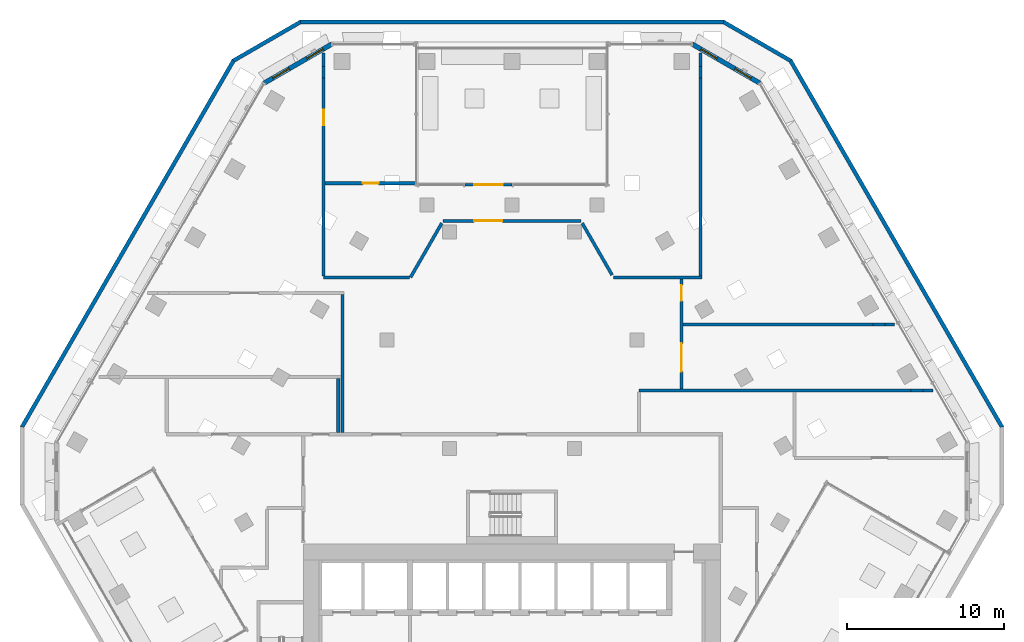
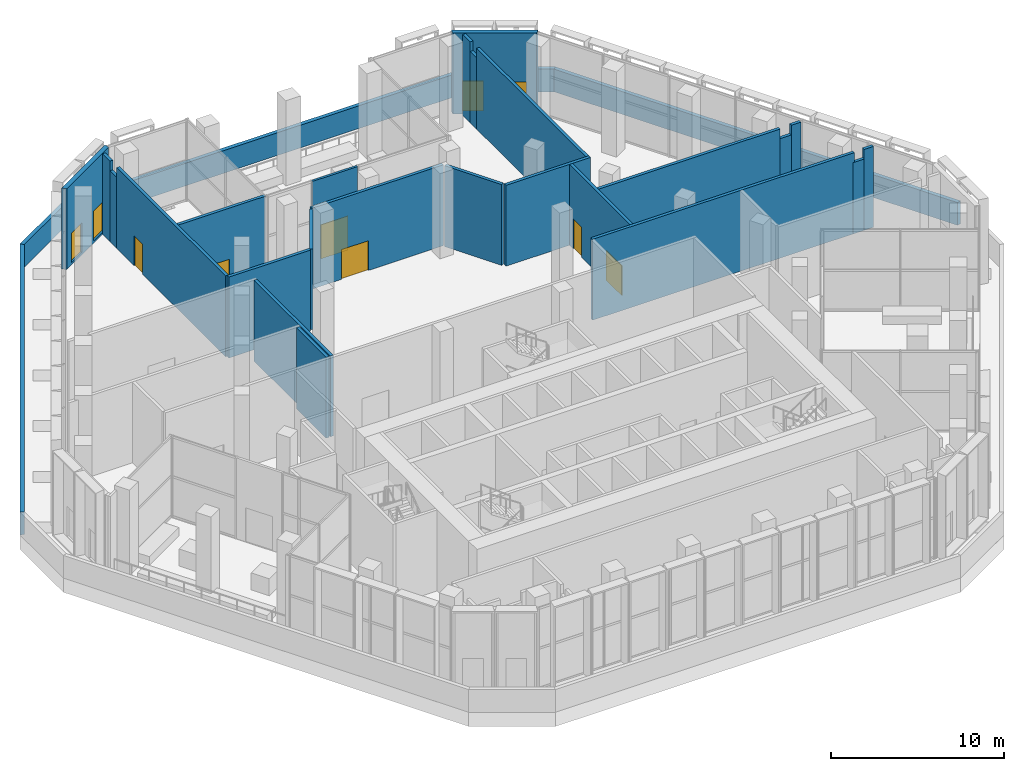
# One storey, part 12 of 23: 29 walls, 6 doors, 4 windows, 10 openings.
"""IFC4 building model written with IfcOpenShell, lengths in metres."""

from ifc_helpers import new_model, si_unit, direction, frame, frame_2d, origin, place, context, subcontext, project, spatial, polyline, rectangle, outline, extrude, material, layer, layer_set, type_object, element, fill, save


model = new_model("IFC4")

# Units and contexts
model_context = context("Model", 3, precision=1e-05, world=origin(), true_north=direction((0.0, 1.0)))
body_context = subcontext(model_context, "Body", "Model", "MODEL_VIEW")
ifc_project = project(units=[si_unit("LENGTHUNIT", "METRE"), si_unit("AREAUNIT", "SQUARE_METRE"), si_unit("VOLUMEUNIT", "CUBIC_METRE"), si_unit("PLANEANGLEUNIT", "RADIAN"), si_unit("MASSUNIT", "GRAM", prefix="KILO")], contexts=[model_context])

# Site, building, storey
site_placement = place(None, origin())
site = spatial("IfcSite", under=ifc_project, at=site_placement, CompositionType="ELEMENT")
building_placement = place(site_placement, origin())
building = spatial("IfcBuilding", under=site, at=building_placement, Name="Beryl Residences", CompositionType="ELEMENT")
storey_placement = place(building_placement, frame((0.0, 0.0, 66.0)))
storey = spatial("IfcBuildingStorey", under=building, at=storey_placement, Name="L20", CompositionType="ELEMENT", Elevation=66.0)

# Wall, openings, windows
ifc_material_1 = material(Name="Composite metal panel with mineral wool insulation")
ifc_layer_1 = layer(ifc_material_1, 0.300048828125)
ifc_layer_set_1 = layer_set([ifc_layer_1], Name="ES1 pale metal composite panel wall 300 mm")
wall_type_1 = type_object("IfcWallType", Name="ES1 pale metal composite panel wall 300 mm", PredefinedType="SOLIDWALL", material=ifc_layer_set_1)
wall_1_placement = place(storey_placement, frame((-11.471923828125, 26.8701171875, 0.0), z_axis=(0.0, 0.0, 1.0), x_axis=(-0.866022959057, -0.500004234368, 0.0)))
wall_1 = element("IfcWall", 1, at=wall_1_placement, inside=storey, type_object=wall_type_1, Name="ES1 external wall L20 N-NW", PredefinedType="SOLIDWALL", context=body_context, shape_type="SweptSolid", body=[
    extrude(outline(polyline([(0.0, -0.14990234375), (5.0, -0.14990234375), (4.919677734375, 0.14990234375), (0.080322265625, 0.14990234375), (0.0, -0.14990234375)])), origin(), (0.0, 0.0, 1.0), 5.699951171875),
])
opening_1_placement = place(wall_1_placement, frame((0.64990234375, 0.0, 0.14990234375)))
opening_1 = element("IfcOpeningElement", 2, at=opening_1_placement, cuts=wall_1, Name="Opening W2", PredefinedType="OPENING", context=body_context, shape_type="SweptSolid", body=[
    extrude(rectangle(XDim=1.199951171875, YDim=2.10009765625, at=frame_2d((0.60009765625, 1.050048828125))), frame((0.0, 0.159912109375, 0.0), z_axis=(0.0, -1.0, 0.0), x_axis=(1.0, 0.0, 0.0)), (0.0, 0.0, 1.0), 0.320068359375),
])
opening_2_placement = place(wall_1_placement, frame((3.14892578125, 0.0, 0.14990234375)))
opening_2 = element("IfcOpeningElement", 3, at=opening_2_placement, cuts=wall_1, Name="Opening W2", PredefinedType="OPENING", context=body_context, shape_type="SweptSolid", body=[
    extrude(rectangle(XDim=1.199951171875, YDim=2.10009765625, at=frame_2d((0.60009765625, 1.050048828125))), frame((0.0, 0.159912109375, 0.0), z_axis=(0.0, -1.0, 0.0), x_axis=(1.0, 0.0, 0.0)), (0.0, 0.0, 1.0), 0.320068359375),
])
ifc_material_2 = material(Name="Aluminium and clear glass", Category="aluminium")
window_type = type_object("IfcWindowType", Name="W2 chamfer window 1200 x 2100 mm", PartitioningType="SINGLE_PANEL", PredefinedType="WINDOW", material=ifc_material_2)
window_1_placement = place(opening_1_placement, origin())
window_1 = element("IfcWindow", 4, at=window_1_placement, inside=storey, type_object=window_type, Name="W2 window L20 N-NW 1", OverallHeight=2.10009765625, OverallWidth=1.199951171875, PartitioningType="SINGLE_PANEL", PredefinedType="WINDOW", context=body_context, shape_type="SweptSolid", body=[
    extrude(rectangle(XDim=1.199951171875, YDim=2.10009765625, at=frame_2d((0.60009765625, 1.050048828125))), frame((0.0, 0.030029296875, 0.0), z_axis=(0.0, -1.0, 0.0), x_axis=(1.0, 0.0, 0.0)), (0.0, 0.0, 1.0), 0.06005859375),
])
fill(opening_1, window_1)
window_2_placement = place(opening_2_placement, origin())
window_2 = element("IfcWindow", 5, at=window_2_placement, inside=storey, type_object=window_type, Name="W2 window L20 N-NW 2", OverallHeight=2.10009765625, OverallWidth=1.199951171875, PartitioningType="SINGLE_PANEL", PredefinedType="WINDOW", context=body_context, shape_type="SweptSolid", body=[
    extrude(rectangle(XDim=1.199951171875, YDim=2.10009765625, at=frame_2d((0.60009765625, 1.050048828125))), frame((0.0, 0.030029296875, 0.0), z_axis=(0.0, -1.0, 0.0), x_axis=(1.0, 0.0, 0.0)), (0.0, 0.0, 1.0), 0.06005859375),
])
fill(opening_2, window_2)

wall_2_placement = place(storey_placement, frame((15.802001953125, 24.3701171875, 0.0), z_axis=(0.0, 0.0, 1.0), x_axis=(-0.866022959057, 0.500004234368, 0.0)))
wall_2 = element("IfcWall", 6, at=wall_2_placement, inside=storey, type_object=wall_type_1, Name="ES1 external wall L20 NE-N", PredefinedType="SOLIDWALL", context=body_context, shape_type="SweptSolid", body=[
    extrude(outline(polyline([(0.0, -0.14990234375), (5.0, -0.14990234375), (4.919677734375, 0.14990234375), (0.080322265625, 0.14990234375), (0.0, -0.14990234375)])), origin(), (0.0, 0.0, 1.0), 5.699951171875),
])
opening_3_placement = place(wall_2_placement, frame((0.64990234375, 0.0, 0.14990234375)))
opening_3 = element("IfcOpeningElement", 7, at=opening_3_placement, cuts=wall_2, Name="Opening W2", PredefinedType="OPENING", context=body_context, shape_type="SweptSolid", body=[
    extrude(rectangle(XDim=1.199951171875, YDim=2.10009765625, at=frame_2d((0.60009765625, 1.050048828125))), frame((0.0, 0.159912109375, 0.0), z_axis=(0.0, -1.0, 0.0), x_axis=(1.0, 0.0, 0.0)), (0.0, 0.0, 1.0), 0.320068359375),
])
opening_4_placement = place(wall_2_placement, frame((3.14990234375, 0.0, 0.14990234375)))
opening_4 = element("IfcOpeningElement", 8, at=opening_4_placement, cuts=wall_2, Name="Opening W2", PredefinedType="OPENING", context=body_context, shape_type="SweptSolid", body=[
    extrude(rectangle(XDim=1.199951171875, YDim=2.10009765625, at=frame_2d((0.60009765625, 1.050048828125))), frame((0.0, 0.159912109375, 0.0), z_axis=(0.0, -1.0, 0.0), x_axis=(1.0, 0.0, 0.0)), (0.0, 0.0, 1.0), 0.320068359375),
])
window_3_placement = place(opening_3_placement, origin())
window_3 = element("IfcWindow", 9, at=window_3_placement, inside=storey, type_object=window_type, Name="W2 window L20 NE-N 1", OverallHeight=2.10009765625, OverallWidth=1.199951171875, PartitioningType="SINGLE_PANEL", PredefinedType="WINDOW", context=body_context, shape_type="SweptSolid", body=[
    extrude(rectangle(XDim=1.199951171875, YDim=2.10009765625, at=frame_2d((0.60009765625, 1.050048828125))), frame((0.0, 0.030029296875, 0.0), z_axis=(0.0, -1.0, 0.0), x_axis=(1.0, 0.0, 0.0)), (0.0, 0.0, 1.0), 0.06005859375),
])
fill(opening_3, window_3)
window_4_placement = place(opening_4_placement, origin())
window_4 = element("IfcWindow", 10, at=window_4_placement, inside=storey, type_object=window_type, Name="W2 window L20 NE-N 2", OverallHeight=2.10009765625, OverallWidth=1.199951171875, PartitioningType="SINGLE_PANEL", PredefinedType="WINDOW", context=body_context, shape_type="SweptSolid", body=[
    extrude(rectangle(XDim=1.199951171875, YDim=2.10009765625, at=frame_2d((0.60009765625, 1.050048828125))), frame((0.0, 0.030029296875, 0.0), z_axis=(0.0, -1.0, 0.0), x_axis=(1.0, 0.0, 0.0)), (0.0, 0.0, 1.0), 0.06005859375),
])
fill(opening_4, window_4)

# Wall, opening, door
ifc_material_3 = material(Name="Aluminium framed insulated wall", Category="aluminium")
ifc_layer_2 = layer(ifc_material_3, 0.14990234375)
ifc_layer_set_2 = layer_set([ifc_layer_2], Name="GW1 glazed door wall 150 mm")
wall_type_2 = type_object("IfcWallType", Name="GW1 glazed door wall 150 mm", PredefinedType="SOLIDWALL", material=ifc_layer_set_2)
wall_3_placement = place(storey_placement, frame((0.0, 17.89990234375, 0.0), z_axis=(0.0, 0.0, 1.0), x_axis=(-1.0, 0.0, 0.0)))
wall_3 = element("IfcWall", 11, at=wall_3_placement, inside=storey, type_object=wall_type_2, Name="GW1 door wall L20 N", PredefinedType="SOLIDWALL", context=body_context, shape_type="SweptSolid", body=[
    extrude(rectangle(XDim=3.0, YDim=0.14990234375, at=frame_2d((1.5, 0.0))), origin(), (0.0, 0.0, 1.0), 5.699951171875),
])
opening_5_placement = place(wall_3_placement, frame((0.60009765625, 0.0, 0.0)))
opening_5 = element("IfcOpeningElement", 12, at=opening_5_placement, cuts=wall_3, Name="Opening SD3", PredefinedType="OPENING", context=body_context, shape_type="SweptSolid", body=[
    extrude(rectangle(XDim=1.800048828125, YDim=2.39990234375, at=frame_2d((0.89990234375, 1.199951171875))), frame((0.0, 0.0849609375, 0.0), z_axis=(0.0, -1.0, 0.0), x_axis=(1.0, 0.0, 0.0)), (0.0, 0.0, 1.0), 0.169921875),
])
ifc_material_4 = material(Name="Aluminium and clear glass", Category="aluminium")
door_type_1 = type_object("IfcDoorType", Name="SD3 sliding glass door 1800 x 2400 mm", OperationType="SLIDING_TO_LEFT", PredefinedType="DOOR", material=ifc_material_4)
door_1_placement = place(opening_5_placement, origin())
door_1 = element("IfcDoor", 13, at=door_1_placement, inside=storey, type_object=door_type_1, Name="SD3 garden door L20 N", OperationType="SLIDING_TO_LEFT", OverallHeight=2.39990234375, OverallWidth=1.800048828125, PredefinedType="DOOR", context=body_context, shape_type="SweptSolid", body=[
    extrude(rectangle(XDim=1.800048828125, YDim=2.39990234375, at=frame_2d((0.89990234375, 1.199951171875))), frame((0.0, 0.02490234375, 0.0), z_axis=(0.0, -1.0, 0.0), x_axis=(1.0, 0.0, 0.0)), (0.0, 0.0, 1.0), 0.050048828125),
])
fill(opening_5, door_1)

# Walls
ifc_material_5 = material(Name="Precast concrete C40/50", Category="concrete")
ifc_layer_3 = layer(ifc_material_5, 0.25)
ifc_layer_set_3 = layer_set([ifc_layer_3], Name="PA1 roof parapet 250 mm")
wall_type_3 = type_object("IfcWallType", Name="PA1 roof parapet 250 mm", PredefinedType="PARAPET", material=ifc_layer_set_3)
wall_4_placement = place(storey_placement, frame((13.447998046875, 28.2919921875, 0.0), z_axis=(0.0, 0.0, 1.0), x_axis=(0.865889515344, -0.500235291855, 0.0)))
element("IfcWall", 14, at=wall_4_placement, inside=storey, type_object=wall_type_3, Name="PA1 parapet L20 strip 1", PredefinedType="PARAPET", context=body_context, shape_type="SweptSolid", body=[
    extrude(outline(polyline([(0.06689453125, -0.125), (4.9326171875, -0.125), (4.99951171875, 0.125), (0.0, 0.125), (0.06689453125, -0.125)])), origin(), (0.0, 0.0, 1.0), 1.60009765625),
])
for number, where, z_axis, x_axis, name in (
    (15, (17.73095703125, 25.8369140625, 0.0), (0.0, 0.0, 1.0), (0.500044695558, -0.865999597254, 0.0), "PA1 parapet L20 strip 2"),
    (16, (-31.241943359375, 2.43798828125, 0.0), (0.0, 0.0, 1.0), (0.500044695558, 0.865999597254, 0.0), "PA1 parapet L20 strip 10"),
):
    element("IfcWall", number, at=place(storey_placement, frame(where, z_axis=z_axis, x_axis=x_axis)), inside=storey, type_object=wall_type_3, Name=name, PredefinedType="PARAPET", context=body_context, shape_type="SweptSolid", body=[
        extrude(outline(polyline([(0.06689453125, -0.125), (26.95263671875, -0.125), (27.01953125, 0.125), (0.0, 0.125), (0.06689453125, -0.125)])), origin(), (0.0, 0.0, 1.0), 1.60009765625),
    ])
wall_5_placement = place(storey_placement, frame((-17.777099609375, 25.791015625, 0.0), z_axis=(0.0, 0.0, 1.0), x_axis=(0.865889515344, 0.500235291855, 0.0)))
element("IfcWall", 17, at=wall_5_placement, inside=storey, type_object=wall_type_3, Name="PA1 parapet L20 strip 11", PredefinedType="PARAPET", context=body_context, shape_type="SweptSolid", body=[
    extrude(outline(polyline([(0.06689453125, -0.125), (4.9326171875, -0.125), (4.99951171875, 0.125), (0.0, 0.125), (0.06689453125, -0.125)])), origin(), (0.0, 0.0, 1.0), 1.60009765625),
])
wall_6_placement = place(storey_placement, frame((-13.510986328125, 28.27490234375, 0.0), z_axis=(0.0, 0.0, 1.0), x_axis=(1.0, 0.0, 0.0)))
element("IfcWall", 18, at=wall_6_placement, inside=storey, type_object=wall_type_3, Name="PA1 parapet L20 strip 12", PredefinedType="PARAPET", context=body_context, shape_type="SweptSolid", body=[
    extrude(outline(polyline([(0.06689453125, -0.125), (26.955078125, -0.125), (27.02197265625, 0.125), (0.0, 0.125), (0.06689453125, -0.125)])), origin(), (0.0, 0.0, 1.0), 1.60009765625),
])
ifc_material_6 = material(Name="Double stud gypsum board wall")
ifc_layer_4 = layer(ifc_material_6, 0.199951171875)
ifc_layer_set_4 = layer_set([ifc_layer_4], Name="PT4 corridor wall 200 mm double stud")
wall_type_4 = type_object("IfcWallType", Name="PT4 corridor wall 200 mm double stud", PredefinedType="PARTITIONING", material=ifc_layer_set_4)
wall_7_placement = place(storey_placement, frame((10.89990234375, 9.0, 0.0), z_axis=(0.0, 0.0, 1.0), x_axis=(1.0, 0.0, 0.0)))
element("IfcWall", 19, at=wall_7_placement, inside=storey, type_object=wall_type_4, Name="Wall PT4 L20 005", PredefinedType="PARTITIONING", context=body_context, shape_type="SweptSolid", body=[
    extrude(rectangle(XDim=12.108154296875, YDim=0.199951171875, at=frame_2d((6.05419921875, 0.0))), origin(), (0.0, 0.0, 1.0), 5.699951171875),
])
wall_8_placement = place(storey_placement, frame((23.008056640625, 9.0, 0.0), z_axis=(0.0, 0.0, 1.0), x_axis=(1.0, 0.0, 0.0)))
element("IfcWall", 20, at=wall_8_placement, inside=storey, type_object=wall_type_4, Name="Wall PT4 L20 006", PredefinedType="PARTITIONING", context=body_context, shape_type="SweptSolid", body=[
    extrude(rectangle(XDim=0.75, YDim=0.199951171875, at=frame_2d((0.375, 0.0))), origin(), (0.0, 0.0, 1.0), 5.02001953125),
])
wall_9_placement = place(storey_placement, frame((23.758056640625, 9.0, 0.0), z_axis=(0.0, 0.0, 1.0), x_axis=(1.0, 0.0, 0.0)))
element("IfcWall", 21, at=wall_9_placement, inside=storey, type_object=wall_type_4, Name="Wall PT4 L20 007", PredefinedType="PARTITIONING", context=body_context, shape_type="SweptSolid", body=[
    extrude(rectangle(XDim=0.6298828125, YDim=0.199951171875, at=frame_2d((0.31494140625, 0.0))), origin(), (0.0, 0.0, 1.0), 5.699951171875),
])
wall_10_placement = place(storey_placement, frame((-12.0, 12.0, 0.0), z_axis=(0.0, 0.0, 1.0), x_axis=(1.0, 0.0, 0.0)))
element("IfcWall", 22, at=wall_10_placement, inside=storey, type_object=wall_type_4, Name="Wall PT4 L20 011", PredefinedType="PARTITIONING", context=body_context, shape_type="SweptSolid", body=[
    extrude(rectangle(XDim=5.4541015625, YDim=0.199951171875, at=frame_2d((2.72705078125, 0.0))), origin(), (0.0, 0.0, 1.0), 5.699951171875),
])
wall_11_placement = place(storey_placement, frame((6.466064453125, 12.0, 0.0), z_axis=(0.0, 0.0, 1.0), x_axis=(1.0, 0.0, 0.0)))
element("IfcWall", 23, at=wall_11_placement, inside=storey, type_object=wall_type_4, Name="Wall PT4 L20 012", PredefinedType="PARTITIONING", context=body_context, shape_type="SweptSolid", body=[
    extrude(rectangle(XDim=5.634033203125, YDim=0.199951171875, at=frame_2d((2.81689453125, 0.0))), origin(), (0.0, 0.0, 1.0), 5.699951171875),
])

# Wall, opening, door
wall_12_placement = place(storey_placement, frame((-4.387939453125, 15.60009765625, 0.0), z_axis=(0.0, 0.0, 1.0), x_axis=(1.0, 0.0, 0.0)))
wall_12 = element("IfcWall", 24, at=wall_12_placement, inside=storey, type_object=wall_type_4, Name="Wall PT4 L20 013", PredefinedType="PARTITIONING", context=body_context, shape_type="SweptSolid", body=[
    extrude(rectangle(XDim=8.77587890625, YDim=0.199951171875, at=frame_2d((4.387939453125, 0.0))), origin(), (0.0, 0.0, 1.0), 5.699951171875),
])
opening_6_placement = place(wall_12_placement, frame((1.97705078125, 0.0, 0.0)))
opening_6 = element("IfcOpeningElement", 25, at=opening_6_placement, cuts=wall_12, Name="Opening L20-12", PredefinedType="OPENING", context=body_context, shape_type="SweptSolid", body=[
    extrude(rectangle(XDim=1.800048828125, YDim=2.10009765625, at=frame_2d((0.89990234375, 1.050048828125))), frame((0.0, 0.10986328125, 0.0), z_axis=(0.0, -1.0, 0.0), x_axis=(1.0, 0.0, 0.0)), (0.0, 0.0, 1.0), 0.219970703125),
])
ifc_material_7 = material(Name="Timber door leaf", Category="wood")
door_type_2 = type_object("IfcDoorType", Name="D20 corridor door 1800 x 2100 mm", OperationType="DOUBLE_DOOR_SINGLE_SWING", PredefinedType="DOOR", material=ifc_material_7)
door_2_placement = place(opening_6_placement, origin())
door_2 = element("IfcDoor", 26, at=door_2_placement, inside=storey, type_object=door_type_2, Name="Door L20-12 L20 001", OperationType="DOUBLE_DOOR_SINGLE_SWING", OverallHeight=2.10009765625, OverallWidth=1.800048828125, PredefinedType="DOOR", context=body_context, shape_type="SweptSolid", body=[
    extrude(rectangle(XDim=1.800048828125, YDim=2.10009765625, at=frame_2d((0.89990234375, 1.050048828125))), frame((0.0, 0.02490234375, 0.0), z_axis=(0.0, -1.0, 0.0), x_axis=(1.0, 0.0, 0.0)), (0.0, 0.0, 1.0), 0.050048828125),
])
fill(opening_6, door_2)

# Wall
wall_13_placement = place(storey_placement, frame((-10.800048828125, 2.10009765625, 0.0), z_axis=(0.0, 0.0, 1.0), x_axis=(0.0, 1.0, 0.0)))
element("IfcWall", 27, at=wall_13_placement, inside=storey, type_object=wall_type_4, Name="Wall PT4 L20 020", PredefinedType="PARTITIONING", context=body_context, shape_type="SweptSolid", body=[
    extrude(rectangle(XDim=8.7998046875, YDim=0.199951171875, at=frame_2d((4.39990234375, 0.0))), origin(), (0.0, 0.0, 1.0), 5.699951171875),
])

# Wall, openings, doors
wall_14_placement = place(storey_placement, frame((10.800048828125, 4.89404296875, 0.0), z_axis=(0.0, 0.0, 1.0), x_axis=(0.0, 1.0, 0.0)))
wall_14 = element("IfcWall", 28, at=wall_14_placement, inside=storey, type_object=wall_type_4, Name="Wall PT4 L20 025", PredefinedType="PARTITIONING", context=body_context, shape_type="SweptSolid", body=[
    extrude(rectangle(XDim=7.005859375, YDim=0.199951171875, at=frame_2d((3.5029296875, 0.0))), origin(), (0.0, 0.0, 1.0), 5.699951171875),
])
opening_7_placement = place(wall_14_placement, frame((2.905029296875, 0.0, 0.0), z_axis=(0.0, 0.0, 1.0), x_axis=(-1.0, 0.0, 0.0)))
opening_7 = element("IfcOpeningElement", 29, at=opening_7_placement, cuts=wall_14, Name="Opening L20-09", PredefinedType="OPENING", context=body_context, shape_type="SweptSolid", body=[
    extrude(rectangle(XDim=1.800048828125, YDim=2.10009765625, at=frame_2d((0.89990234375, 1.050048828125))), frame((0.0, 0.10986328125, 0.0), z_axis=(0.0, -1.0, 0.0), x_axis=(1.0, 0.0, 0.0)), (0.0, 0.0, 1.0), 0.219970703125),
])
opening_8_placement = place(wall_14_placement, frame((6.60498046875, 0.0, 0.0), z_axis=(0.0, 0.0, 1.0), x_axis=(-1.0, 0.0, 0.0)))
opening_8 = element("IfcOpeningElement", 30, at=opening_8_placement, cuts=wall_14, Name="Opening L20-10", PredefinedType="OPENING", context=body_context, shape_type="SweptSolid", body=[
    extrude(rectangle(XDim=1.0, YDim=2.10009765625, at=frame_2d((0.5, 1.050048828125))), frame((0.0, 0.10986328125, 0.0), z_axis=(0.0, -1.0, 0.0), x_axis=(1.0, 0.0, 0.0)), (0.0, 0.0, 1.0), 0.219970703125),
])
door_3_placement = place(opening_7_placement, origin())
door_3 = element("IfcDoor", 31, at=door_3_placement, inside=storey, type_object=door_type_2, Name="Door L20-09 L20 001", OperationType="DOUBLE_DOOR_SINGLE_SWING", OverallHeight=2.10009765625, OverallWidth=1.800048828125, PredefinedType="DOOR", context=body_context, shape_type="SweptSolid", body=[
    extrude(rectangle(XDim=1.800048828125, YDim=2.10009765625, at=frame_2d((0.89990234375, 1.050048828125))), frame((0.0, 0.02490234375, 0.0), z_axis=(0.0, -1.0, 0.0), x_axis=(1.0, 0.0, 0.0)), (0.0, 0.0, 1.0), 0.050048828125),
])
fill(opening_7, door_3)
ifc_material_8 = material(Name="Timber door leaf", Category="wood")
door_type_3 = type_object("IfcDoorType", Name="D9 corridor door 1000 x 2100 mm", OperationType="SINGLE_SWING_LEFT", PredefinedType="DOOR", material=ifc_material_8)
door_4_placement = place(opening_8_placement, origin())
door_4 = element("IfcDoor", 32, at=door_4_placement, inside=storey, type_object=door_type_3, Name="Door L20-10 L20 001", OperationType="SINGLE_SWING_LEFT", OverallHeight=2.10009765625, OverallWidth=1.0, PredefinedType="DOOR", context=body_context, shape_type="SweptSolid", body=[
    extrude(rectangle(XDim=1.0, YDim=2.10009765625, at=frame_2d((0.5, 1.050048828125))), frame((0.0, 0.02490234375, 0.0), z_axis=(0.0, -1.0, 0.0), x_axis=(1.0, 0.0, 0.0)), (0.0, 0.0, 1.0), 0.050048828125),
])
fill(opening_8, door_4)

# Walls
wall_15_placement = place(storey_placement, frame((12.0, 12.10009765625, 0.0), z_axis=(0.0, 0.0, 1.0), x_axis=(0.0, 1.0, 0.0)))
element("IfcWall", 33, at=wall_15_placement, inside=storey, type_object=wall_type_4, Name="Wall PT4 L20 026", PredefinedType="PARTITIONING", context=body_context, shape_type="SweptSolid", body=[
    extrude(rectangle(XDim=12.596923828125, YDim=0.199951171875, at=frame_2d((6.29833984375, 0.0))), origin(), (0.0, 0.0, 1.0), 5.699951171875),
])
wall_16_placement = place(storey_placement, frame((12.0, 24.697021484375, 0.0), z_axis=(0.0, 0.0, 1.0), x_axis=(0.0, 1.0, 0.0)))
element("IfcWall", 34, at=wall_16_placement, inside=storey, type_object=wall_type_4, Name="Wall PT4 L20 027", PredefinedType="PARTITIONING", context=body_context, shape_type="SweptSolid", body=[
    extrude(rectangle(XDim=0.75, YDim=0.199951171875, at=frame_2d((0.375, 0.0))), origin(), (0.0, 0.0, 1.0), 5.02001953125),
])
wall_17_placement = place(storey_placement, frame((12.0, 25.447021484375, 0.0), z_axis=(0.0, 0.0, 1.0), x_axis=(0.0, 1.0, 0.0)))
element("IfcWall", 35, at=wall_17_placement, inside=storey, type_object=wall_type_4, Name="Wall PT4 L20 028", PredefinedType="PARTITIONING", context=body_context, shape_type="SweptSolid", body=[
    extrude(rectangle(XDim=0.85302734375, YDim=0.199951171875, at=frame_2d((0.426513671875, 0.0))), origin(), (0.0, 0.0, 1.0), 5.699951171875),
])
wall_18_placement = place(storey_placement, frame((4.47509765625, 15.449951171875, 0.0), z_axis=(0.0, 0.0, 1.0), x_axis=(0.499709509062, -0.866193053859, 0.0)))
element("IfcWall", 36, at=wall_18_placement, inside=storey, type_object=wall_type_4, Name="Wall PT4 L20 034", PredefinedType="PARTITIONING", context=body_context, shape_type="SweptSolid", body=[
    extrude(rectangle(XDim=3.809814453125, YDim=0.199951171875, at=frame_2d((1.90478515625, 0.0))), origin(), (0.0, 0.0, 1.0), 5.699951171875),
])
wall_19_placement = place(storey_placement, frame((-6.466064453125, 12.0, 0.0), z_axis=(0.0, 0.0, 1.0), x_axis=(0.49983741437, 0.866119252295, 0.0)))
element("IfcWall", 37, at=wall_19_placement, inside=storey, type_object=wall_type_4, Name="Wall PT4 L20 035", PredefinedType="PARTITIONING", context=body_context, shape_type="SweptSolid", body=[
    extrude(rectangle(XDim=3.983154296875, YDim=0.199951171875, at=frame_2d((1.99169921875, 0.0))), origin(), (0.0, 0.0, 1.0), 5.699951171875),
])
ifc_material_9 = material(Name="Concrete masonry", Category="masonry")
ifc_layer_5 = layer(ifc_material_9, 0.199951171875)
ifc_layer_set_5 = layer_set([ifc_layer_5], Name="PT8-200 service room wall 200 mm")
wall_type_5 = type_object("IfcWallType", Name="PT8-200 service room wall 200 mm", PredefinedType="PARTITIONING", material=ifc_layer_set_5)
wall_20_placement = place(storey_placement, frame((8.089111328125, 4.7939453125, 0.0), z_axis=(0.0, 0.0, 1.0), x_axis=(1.0, 0.0, 0.0)))
element("IfcWall", 38, at=wall_20_placement, inside=storey, type_object=wall_type_5, Name="Wall PT8-200 L20 005", PredefinedType="PARTITIONING", context=body_context, shape_type="SweptSolid", body=[
    extrude(rectangle(XDim=17.44677734375, YDim=0.199951171875, at=frame_2d((8.723388671875, 0.0))), origin(), (0.0, 0.0, 1.0), 5.699951171875),
])
wall_21_placement = place(storey_placement, frame((25.43603515625, 4.7939453125, 0.0), z_axis=(0.0, 0.0, 1.0), x_axis=(1.0, 0.0, 0.0)))
element("IfcWall", 39, at=wall_21_placement, inside=storey, type_object=wall_type_5, Name="Wall PT8-200 L20 006", PredefinedType="PARTITIONING", context=body_context, shape_type="SweptSolid", body=[
    extrude(rectangle(XDim=0.7509765625, YDim=0.199951171875, at=frame_2d((0.37548828125, 0.0))), origin(), (0.0, 0.0, 1.0), 5.02001953125),
])
wall_22_placement = place(storey_placement, frame((26.18701171875, 4.7939453125, 0.0), z_axis=(0.0, 0.0, 1.0), x_axis=(1.0, 0.0, 0.0)))
element("IfcWall", 40, at=wall_22_placement, inside=storey, type_object=wall_type_5, Name="Wall PT8-200 L20 007", PredefinedType="PARTITIONING", context=body_context, shape_type="SweptSolid", body=[
    extrude(rectangle(XDim=0.62890625, YDim=0.199951171875, at=frame_2d((0.314453125, 0.0))), origin(), (0.0, 0.0, 1.0), 5.699951171875),
])

# Wall, opening, door
wall_23_placement = place(storey_placement, frame((-11.89990234375, 18.0, 0.0), z_axis=(0.0, 0.0, 1.0), x_axis=(1.0, 0.0, 0.0)))
wall_23 = element("IfcWall", 41, at=wall_23_placement, inside=storey, type_object=wall_type_5, Name="Wall PT8-200 L20 011", PredefinedType="PARTITIONING", context=body_context, shape_type="SweptSolid", body=[
    extrude(rectangle(XDim=5.81982421875, YDim=0.199951171875, at=frame_2d((2.909912109375, 0.0))), origin(), (0.0, 0.0, 1.0), 5.699951171875),
])
opening_9_placement = place(wall_23_placement, frame((3.402099609375, 0.0, 0.0), z_axis=(0.0, 0.0, 1.0), x_axis=(-1.0, 0.0, 0.0)))
opening_9 = element("IfcOpeningElement", 42, at=opening_9_placement, cuts=wall_23, Name="Opening L20-01", PredefinedType="OPENING", context=body_context, shape_type="SweptSolid", body=[
    extrude(rectangle(XDim=1.0, YDim=2.10009765625, at=frame_2d((0.5, 1.050048828125))), frame((0.0, 0.10986328125, 0.0), z_axis=(0.0, -1.0, 0.0), x_axis=(1.0, 0.0, 0.0)), (0.0, 0.0, 1.0), 0.219970703125),
])
ifc_material_10 = material(Name="Steel door leaf in steel frame", Category="steel")
door_type_4 = type_object("IfcDoorType", Name="D18 service room door 1000 x 2100 mm", OperationType="SINGLE_SWING_LEFT", PredefinedType="DOOR", material=ifc_material_10)
door_5_placement = place(opening_9_placement, origin())
door_5 = element("IfcDoor", 43, at=door_5_placement, inside=storey, type_object=door_type_4, Name="Door L20-01 L20 001", OperationType="SINGLE_SWING_RIGHT", OverallHeight=2.10009765625, OverallWidth=1.0, PredefinedType="DOOR", context=body_context, shape_type="SweptSolid", body=[
    extrude(rectangle(XDim=1.0, YDim=2.10009765625, at=frame_2d((0.5, 1.050048828125))), frame((0.0, 0.02490234375, 0.0), z_axis=(0.0, -1.0, 0.0), x_axis=(1.0, 0.0, 0.0)), (0.0, 0.0, 1.0), 0.050048828125),
])
fill(opening_9, door_5)

wall_24_placement = place(storey_placement, frame((-12.0, 12.10009765625, 0.0), z_axis=(0.0, 0.0, 1.0), x_axis=(0.0, 1.0, 0.0)))
wall_24 = element("IfcWall", 44, at=wall_24_placement, inside=storey, type_object=wall_type_5, Name="Wall PT8-200 L20 013", PredefinedType="PARTITIONING", context=body_context, shape_type="SweptSolid", body=[
    extrude(rectangle(XDim=12.596923828125, YDim=0.199951171875, at=frame_2d((6.29833984375, 0.0))), origin(), (0.0, 0.0, 1.0), 5.699951171875),
])
opening_10_placement = place(wall_24_placement, frame((10.593994140625, 0.0, 0.0), z_axis=(0.0, 0.0, 1.0), x_axis=(-1.0, 0.0, 0.0)))
opening_10 = element("IfcOpeningElement", 45, at=opening_10_placement, cuts=wall_24, Name="Opening L20-13", PredefinedType="OPENING", context=body_context, shape_type="SweptSolid", body=[
    extrude(rectangle(XDim=1.0, YDim=2.10009765625, at=frame_2d((0.5, 1.050048828125))), frame((0.0, 0.10986328125, 0.0), z_axis=(0.0, -1.0, 0.0), x_axis=(1.0, 0.0, 0.0)), (0.0, 0.0, 1.0), 0.219970703125),
])
door_6_placement = place(opening_10_placement, origin())
door_6 = element("IfcDoor", 46, at=door_6_placement, inside=storey, type_object=door_type_3, Name="Door L20-13 L20 001", OperationType="SINGLE_SWING_RIGHT", OverallHeight=2.10009765625, OverallWidth=1.0, PredefinedType="DOOR", context=body_context, shape_type="SweptSolid", body=[
    extrude(rectangle(XDim=1.0, YDim=2.10009765625, at=frame_2d((0.5, 1.050048828125))), frame((0.0, 0.02490234375, 0.0), z_axis=(0.0, -1.0, 0.0), x_axis=(1.0, 0.0, 0.0)), (0.0, 0.0, 1.0), 0.050048828125),
])
fill(opening_10, door_6)

# Walls
wall_25_placement = place(storey_placement, frame((-12.0, 24.697021484375, 0.0), z_axis=(0.0, 0.0, 1.0), x_axis=(0.0, 1.0, 0.0)))
element("IfcWall", 47, at=wall_25_placement, inside=storey, type_object=wall_type_5, Name="Wall PT8-200 L20 014", PredefinedType="PARTITIONING", context=body_context, shape_type="SweptSolid", body=[
    extrude(rectangle(XDim=0.7509765625, YDim=0.199951171875, at=frame_2d((0.37548828125, 0.0))), origin(), (0.0, 0.0, 1.0), 5.02001953125),
])
wall_26_placement = place(storey_placement, frame((-12.0, 25.447998046875, 0.0), z_axis=(0.0, 0.0, 1.0), x_axis=(0.0, 1.0, 0.0)))
element("IfcWall", 48, at=wall_26_placement, inside=storey, type_object=wall_type_5, Name="Wall PT8-200 L20 015", PredefinedType="PARTITIONING", context=body_context, shape_type="SweptSolid", body=[
    extrude(rectangle(XDim=0.85205078125, YDim=0.199951171875, at=frame_2d((0.426025390625, 0.0))), origin(), (0.0, 0.0, 1.0), 5.699951171875),
])
wall_27_placement = place(storey_placement, frame((-11.071044921875, 2.10009765625, 0.0), z_axis=(0.0, 0.0, 1.0), x_axis=(0.0, 1.0, 0.0)))
element("IfcWall", 49, at=wall_27_placement, inside=storey, type_object=wall_type_5, Name="Wall PT8-200 L20 016", PredefinedType="PARTITIONING", context=body_context, shape_type="SweptSolid", body=[
    extrude(rectangle(XDim=3.453857421875, YDim=0.199951171875, at=frame_2d((1.72705078125, 0.0))), origin(), (0.0, 0.0, 1.0), 5.699951171875),
])

save(model, "model.ifc")
